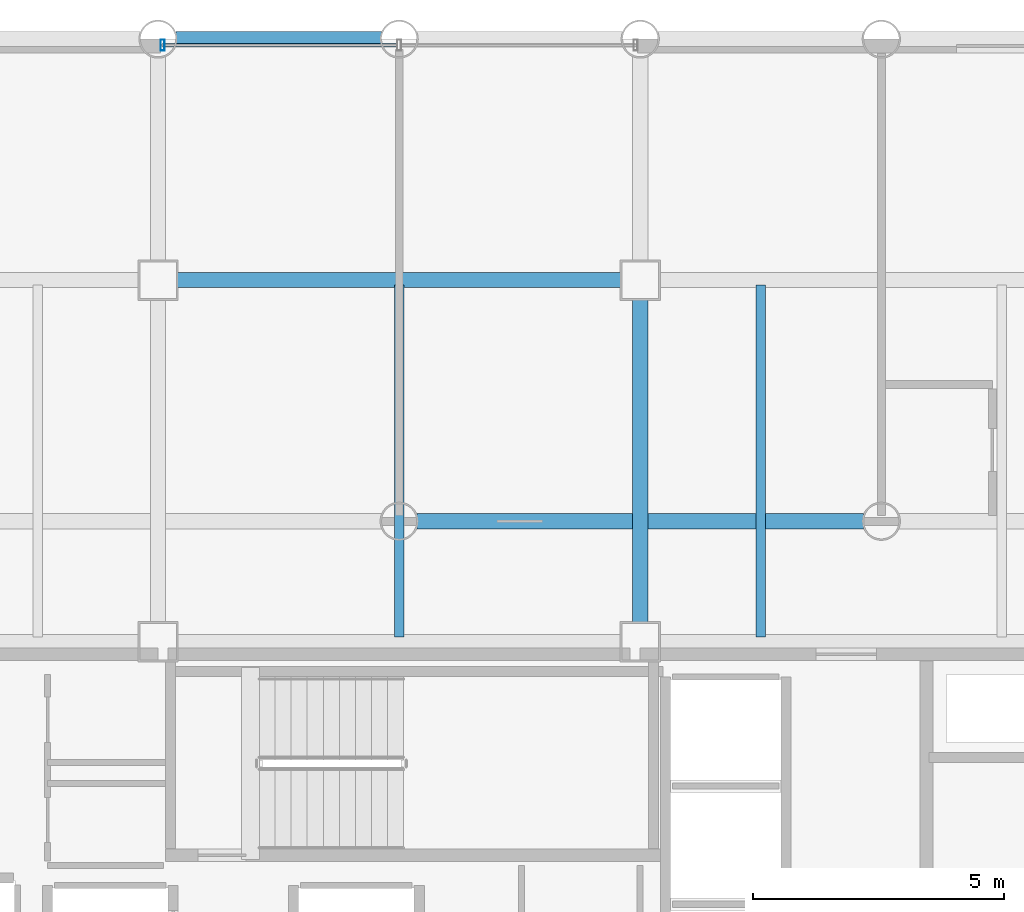
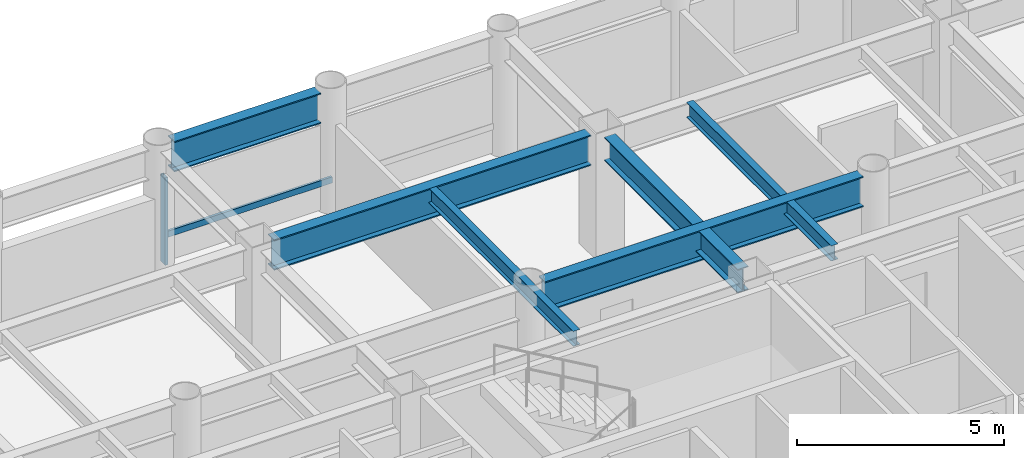
# One storey, part 11 of 21: 6 beams, 2 members, 1 element without a shape of its own.
"""IFC4 building model written with IfcOpenShell, lengths in metres."""

from ifc_helpers import new_model, si_unit, direction, frame, origin, origin_2d, place, context, subcontext, project, spatial, hollow_rectangle, i_section, extrude, material, layer, layer_set, material_profile, profile_set, type_object, element, aggregate, save


model = new_model("IFC4")

# Units and contexts
model_context = context("Model", 3, precision=1e-05, world=origin(), true_north=direction((0.0, 1.0)))
body_context = subcontext(model_context, "Body", "Model", "MODEL_VIEW")
ifc_project = project(units=[si_unit("LENGTHUNIT", "METRE"), si_unit("AREAUNIT", "SQUARE_METRE"), si_unit("VOLUMEUNIT", "CUBIC_METRE"), si_unit("PLANEANGLEUNIT", "RADIAN"), si_unit("MASSUNIT", "GRAM", prefix="KILO")], contexts=[model_context])

# Site, building, storey
site_placement = place(None, origin())
site = spatial("IfcSite", under=ifc_project, at=site_placement, CompositionType="ELEMENT")
building_placement = place(site_placement, origin())
building = spatial("IfcBuilding", under=site, at=building_placement, Name="Kallvorn Hotel Tower", CompositionType="ELEMENT")
storey_placement = place(building_placement, frame((0.0, 0.0, 44.800048828125)))
storey = spatial("IfcBuildingStorey", under=building, at=storey_placement, Name="L09", CompositionType="ELEMENT", Elevation=44.800048828125)

# Beams
ifc_material_1 = material(Name="Structural steel S355JR", Category="steel")
ifc_material_profile_1 = material_profile(ifc_material_1, i_section(OverallWidth=0.300048828125, OverallDepth=0.699951171875, WebThickness=0.01708984375, FlangeThickness=0.031982421875, at=origin_2d()), Name="HE 700 B")
ifc_profile_set_1 = profile_set([ifc_material_profile_1], Name="Structural steel S355JR")
beam_type_1 = type_object("IfcBeamType", Name="BM_HE700B", PredefinedType="BEAM", material=ifc_profile_set_1)
beam_1_placement = place(storey_placement, frame((4.800048828125, 7.574951171875, 3.169921875), z_axis=(0.0, 1.0, 0.0), x_axis=(-1.0, 0.0, 0.0)))
element("IfcBeam", 1, at=beam_1_placement, inside=storey, type_object=beam_type_1, Name="L10 Primary Y-Girder 117", PredefinedType="BEAM", context=body_context, shape_type="SweptSolid", body=[
    extrude(i_section(OverallWidth=0.300048828125, OverallDepth=0.699951171875, WebThickness=0.01708984375, FlangeThickness=0.031982421875, at=origin_2d()), origin(), (0.0, 0.0, 1.0), 6.449951171875),
])
ifc_material_2 = material(Name="Structural steel S355JR", Category="steel")
ifc_material_profile_2 = material_profile(ifc_material_2, i_section(OverallWidth=0.300048828125, OverallDepth=0.89990234375, WebThickness=0.0185546875, FlangeThickness=0.034912109375, at=origin_2d()), Name="HE 900 B")
ifc_profile_set_2 = profile_set([ifc_material_profile_2], Name="Structural steel S355JR")
beam_type_2 = type_object("IfcBeamType", Name="BM_HE900B", PredefinedType="BEAM", material=ifc_profile_set_2)
beam_2_placement = place(storey_placement, frame((0.35595703125, 9.60009765625, 3.070068359375), z_axis=(1.0, 0.0, 0.0), x_axis=(0.0, 1.0, 0.0)))
element("IfcBeam", 2, at=beam_2_placement, inside=storey, type_object=beam_type_2, Name="L10 Primary X-Girder 47", PredefinedType="BEAM", context=body_context, shape_type="SweptSolid", body=[
    extrude(i_section(OverallWidth=0.300048828125, OverallDepth=0.89990234375, WebThickness=0.0185546875, FlangeThickness=0.034912109375, at=origin_2d()), origin(), (0.0, 0.0, 1.0), 8.887939453125),
])
beam_3_placement = place(storey_placement, frame((-4.425048828125, 14.39990234375, 3.070068359375), z_axis=(1.0, 0.0, 0.0), x_axis=(0.0, 1.0, 0.0)))
element("IfcBeam", 3, at=beam_3_placement, inside=storey, type_object=beam_type_2, Name="L10 Primary X-Girder 56", PredefinedType="BEAM", context=body_context, shape_type="SweptSolid", body=[
    extrude(i_section(OverallWidth=0.300048828125, OverallDepth=0.89990234375, WebThickness=0.0185546875, FlangeThickness=0.034912109375, at=origin_2d()), origin(), (0.0, 0.0, 1.0), 8.85009765625),
])
beam_4_placement = place(storey_placement, frame((-4.444091796875, 19.199951171875, 3.070068359375), z_axis=(1.0, 0.0, 0.0), x_axis=(0.0, 1.0, 0.0)))
element("IfcBeam", 4, at=beam_4_placement, inside=storey, type_object=beam_type_2, Name="L10 Primary X-Girder 66", PredefinedType="BEAM", context=body_context, shape_type="SweptSolid", body=[
    extrude(i_section(OverallWidth=0.300048828125, OverallDepth=0.89990234375, WebThickness=0.0185546875, FlangeThickness=0.034912109375, at=origin_2d()), origin(), (0.0, 0.0, 1.0), 4.088134765625),
])
ifc_material_3 = material(Name="Structural steel S355JR", Category="steel")
ifc_material_profile_3 = material_profile(ifc_material_3, i_section(OverallWidth=0.18994140625, OverallDepth=0.449951171875, WebThickness=0.009521484375, FlangeThickness=0.0146484375, at=origin_2d()), Name="IPE 450")
ifc_profile_set_3 = profile_set([ifc_material_profile_3], Name="Structural steel S355JR")
beam_type_3 = type_object("IfcBeamType", Name="BM_IPE450", PredefinedType="JOIST", material=ifc_profile_set_3)
for number, where, z_axis, x_axis, name in (
    (5, (0.0, 7.300048828125, 3.294921875), (0.0, 1.0, 0.0), (-1.0, 0.0, 0.0), "L10 Secondary Composite Joist 201"),
    (6, (7.199951171875, 7.300048828125, 3.294921875), (0.0, 1.0, 0.0), (-1.0, 0.0, 0.0), "L10 Secondary Composite Joist 203"),
):
    element("IfcBeam", number, at=place(storey_placement, frame(where, z_axis=z_axis, x_axis=x_axis)), inside=storey, type_object=beam_type_3, Name=name, PredefinedType="JOIST", context=body_context, shape_type="SweptSolid", body=[
        extrude(i_section(OverallWidth=0.18994140625, OverallDepth=0.449951171875, WebThickness=0.009521484375, FlangeThickness=0.0146484375, at=origin_2d()), origin(), (0.0, 0.0, 1.0), 7.0),
    ])

# Curtain wall, members
ifc_material_4 = material(Name="Thermally broken black-anodised aluminium AA 6063-T6", Category="aluminium")
ifc_layer = layer(ifc_material_4, 0.199951171875)
ifc_layer_set = layer_set([ifc_layer], Name="CW_SYS_3_HOTEL_LOW")
curtain_wall_type = type_object("IfcCurtainWallType", Name="CW_SYS_3_HOTEL_LOW", PredefinedType="USERDEFINED", material=ifc_layer_set)
curtain_wall_placement = place(storey_placement, origin())
curtain_wall = element("IfcCurtainWall", 7, at=curtain_wall_placement, inside=storey, type_object=curtain_wall_type, Name="L09 Dark-Glass Curtain Wall CW-L09-NC", ObjectType="UNITISED CURTAIN WALL", PredefinedType="USERDEFINED")
ifc_material_5 = material(Name="Thermally broken black-anodised aluminium AA 6063-T6", Category="aluminium")
ifc_material_profile_4 = material_profile(ifc_material_5, hollow_rectangle(XDim=0.080078125, YDim=0.219970703125, WallThickness=0.0048828125, at=origin_2d()), Name="MUL 220x80")
ifc_profile_set_4 = profile_set([ifc_material_profile_4], Name="Thermally broken black-anodised aluminium AA 6063-T6")
member_type_1 = type_object("IfcMemberType", Name="CW_MULLION_220x80", PredefinedType="MULLION", material=ifc_profile_set_4)
member_1_placement = place(storey_placement, frame((-4.7099609375, 19.080078125, 0.02001953125), z_axis=(0.0, 0.0, 1.0), x_axis=(1.0, 0.0, 0.0)))
member_1 = element("IfcMember", 8, at=member_1_placement, type_object=member_type_1, Name="CW-L09-NC Mullion 00", PredefinedType="MULLION", context=body_context, shape_type="SweptSolid", body=[
    extrude(hollow_rectangle(XDim=0.080078125, YDim=0.219970703125, WallThickness=0.0048828125, at=origin_2d()), origin(), (0.0, 0.0, 1.0), 2.579833984375),
])
ifc_material_6 = material(Name="Thermally broken black-anodised aluminium AA 6063-T6", Category="aluminium")
ifc_material_profile_5 = material_profile(ifc_material_6, hollow_rectangle(XDim=0.070068359375, YDim=0.179931640625, WallThickness=0.00390625, at=origin_2d()), Name="TRN 180x70")
ifc_profile_set_5 = profile_set([ifc_material_profile_5], Name="Thermally broken black-anodised aluminium AA 6063-T6")
member_type_2 = type_object("IfcMemberType", Name="CW_TRANSOM_180x70", PredefinedType="USERDEFINED", material=ifc_profile_set_5)
member_2_placement = place(storey_placement, frame((-4.7099609375, 19.080078125, 0.849853515625), z_axis=(1.0, 0.0, 0.0), x_axis=(0.0, 1.0, 0.0)))
member_2 = element("IfcMember", 9, at=member_2_placement, type_object=member_type_2, Name="CW-L09-NC Transom 00M", ObjectType="TRANSOM", PredefinedType="USERDEFINED", context=body_context, shape_type="SweptSolid", body=[
    extrude(hollow_rectangle(XDim=0.070068359375, YDim=0.179931640625, WallThickness=0.00390625, at=origin_2d()), origin(), (0.0, 0.0, 1.0), 4.669921875),
])
aggregate(curtain_wall, [member_1, member_2])

save(model, "model.ifc")
